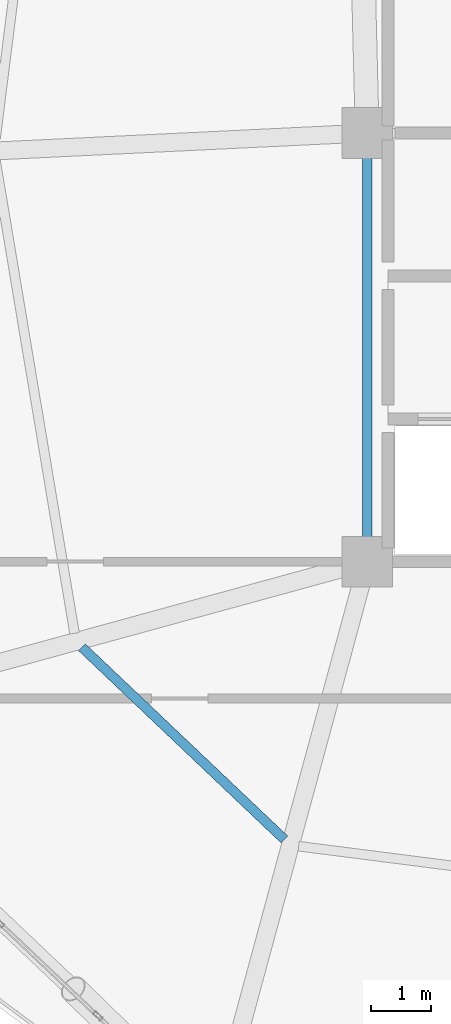
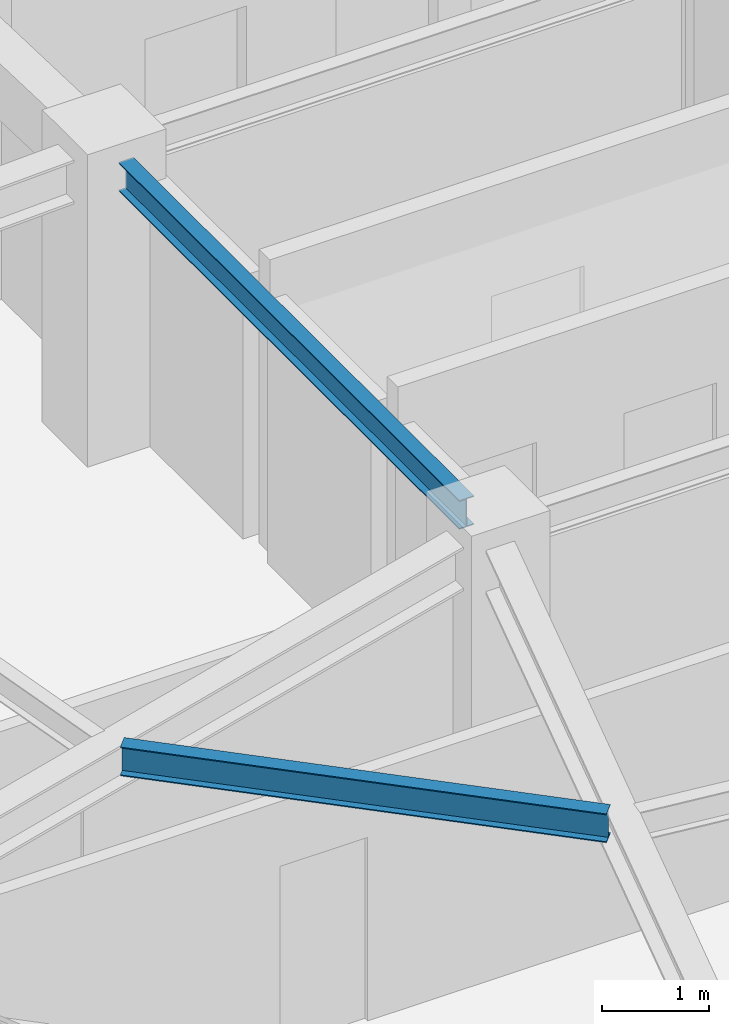
# One storey, part 6 of 29: 2 beams.
"""IFC4 building model written with IfcOpenShell, lengths in metres."""

from ifc_helpers import new_model, si_unit, direction, frame, origin, origin_2d, place, context, subcontext, project, spatial, i_section, extrude, material, material_profile, profile_set, type_object, element, save


model = new_model("IFC4")

# Units and contexts
model_context = context("Model", 3, precision=1e-05, world=origin(), true_north=direction((0.0, 1.0)))
body_context = subcontext(model_context, "Body", "Model", "MODEL_VIEW")
ifc_project = project(units=[si_unit("LENGTHUNIT", "METRE"), si_unit("AREAUNIT", "SQUARE_METRE"), si_unit("VOLUMEUNIT", "CUBIC_METRE"), si_unit("PLANEANGLEUNIT", "RADIAN"), si_unit("MASSUNIT", "GRAM", prefix="KILO")], contexts=[model_context])

# Site, building, storey
site_placement = place(None, origin())
site = spatial("IfcSite", under=ifc_project, at=site_placement, CompositionType="ELEMENT")
building_placement = place(site_placement, origin())
building = spatial("IfcBuilding", under=site, at=building_placement, Name="Varnakorn Sky Granary", CompositionType="ELEMENT")
storey_placement = place(building_placement, frame((0.0, 0.0, 182.39990234375)))
storey = spatial("IfcBuildingStorey", under=building, at=storey_placement, Name="L45", CompositionType="ELEMENT", Elevation=182.39990234375)

# Beams
ifc_material = material(Name="Steel S355JR", Category="steel")
ifc_material_profile = material_profile(ifc_material, i_section(OverallWidth=0.159912109375, OverallDepth=0.330078125, WebThickness=0.007568359375, FlangeThickness=0.011474609375, at=origin_2d()), Name="IPE 330")
ifc_profile_set = profile_set([ifc_material_profile], Name="Steel S355JR")
beam_type = type_object("IfcBeamType", Name="BM-SEC-Z4", PredefinedType="BEAM", material=ifc_profile_set)
beam_1_placement = place(storey_placement, frame((-7.140869140625, -8.03662109375, 3.195068359375), z_axis=(0.725304968492, -0.688427703307, 0.0), x_axis=(0.688427703307, 0.725304968492, 0.0)))
element("IfcBeam", 1, at=beam_1_placement, inside=storey, type_object=beam_type, Name="Secondary Floor Chord Beam MSB08 L45", PredefinedType="BEAM", context=body_context, shape_type="SweptSolid", body=[
    extrude(i_section(OverallWidth=0.159912109375, OverallDepth=0.330078125, WebThickness=0.007568359375, FlangeThickness=0.011474609375, at=origin_2d()), origin(), (0.0, 0.0, 1.0), 4.687255859375),
])
beam_2_placement = place(storey_placement, frame((-2.35009765625, 0.195068359375, 3.195068359375), z_axis=(0.0, -1.0, 0.0), x_axis=(1.0, 0.0, 0.0)))
element("IfcBeam", 2, at=beam_2_placement, inside=storey, type_object=beam_type, Name="Core Spine Framing Beam 3 L45", PredefinedType="BEAM", context=body_context, shape_type="SweptSolid", body=[
    extrude(i_section(OverallWidth=0.159912109375, OverallDepth=0.330078125, WebThickness=0.007568359375, FlangeThickness=0.011474609375, at=origin_2d()), origin(), (0.0, 0.0, 1.0), 6.39013671875),
])

save(model, "model.ifc")
